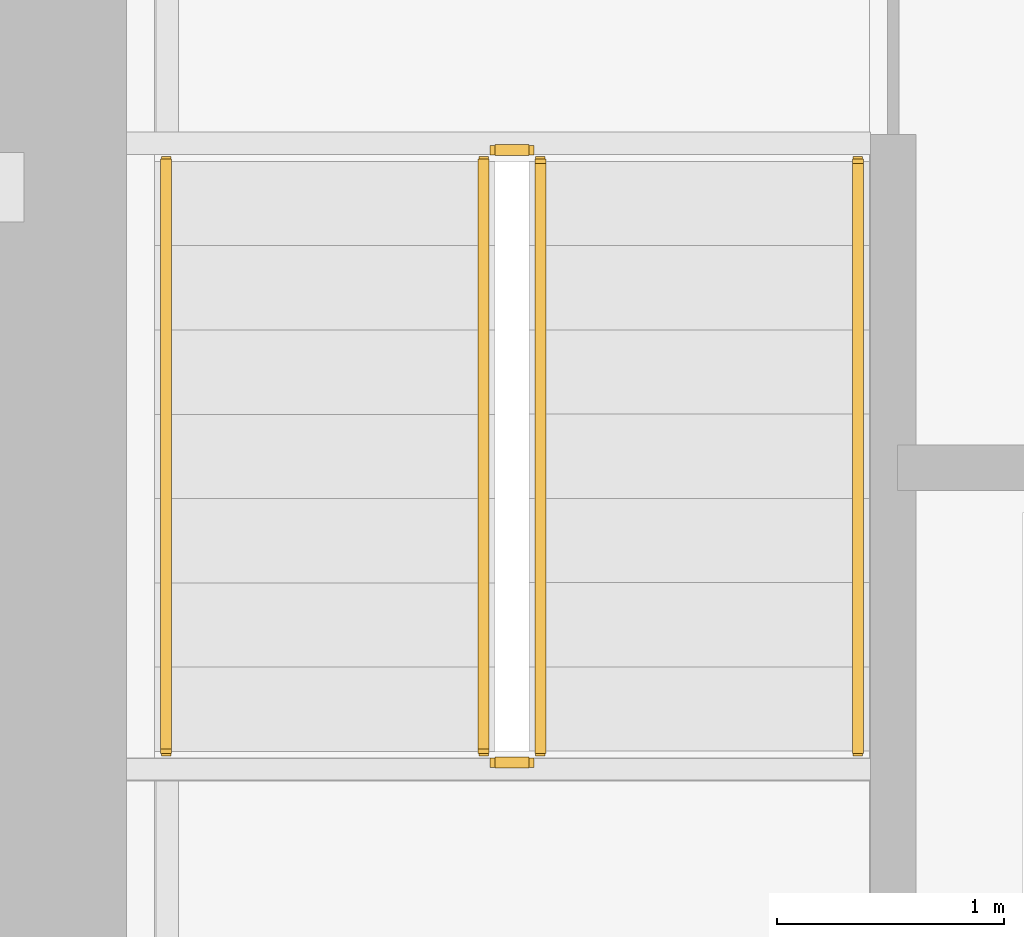
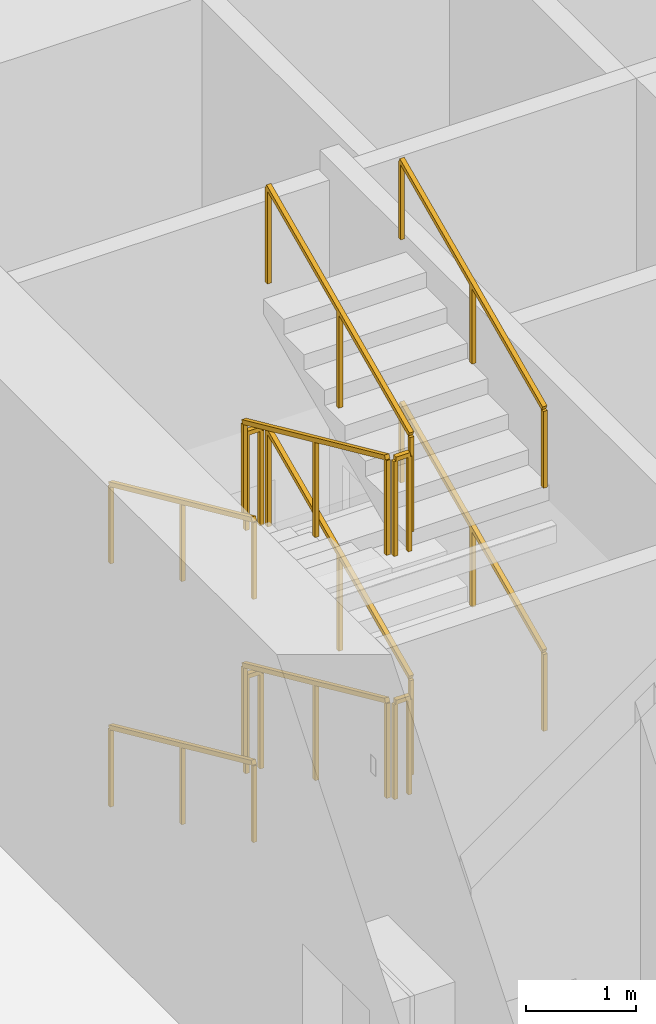
# One storey, part 17 of 19: 12 railings.
"""IFC4 building model written with IfcOpenShell, lengths in metres."""

from ifc_helpers import new_model, si_unit, direction, frame, origin, origin_2d, place, context, subcontext, project, spatial, rectangle, extrude, material, type_object, element, save


model = new_model("IFC4")

# Units and contexts
model_context = context("Model", 3, precision=1e-05, world=origin(), true_north=direction((0.0, 1.0)))
body_context = subcontext(model_context, "Body", "Model", "MODEL_VIEW")
ifc_project = project(units=[si_unit("LENGTHUNIT", "METRE"), si_unit("AREAUNIT", "SQUARE_METRE"), si_unit("VOLUMEUNIT", "CUBIC_METRE"), si_unit("PLANEANGLEUNIT", "RADIAN"), si_unit("MASSUNIT", "GRAM", prefix="KILO")], contexts=[model_context])

# Site, building, storey
site_placement = place(None, origin())
site = spatial("IfcSite", under=ifc_project, at=site_placement, CompositionType="ELEMENT")
building_placement = place(site_placement, origin())
building = spatial("IfcBuilding", under=site, at=building_placement, Name="Cinnabar Lancet Tower", CompositionType="ELEMENT")
storey_placement = place(building_placement, frame((0.0, 0.0, 74.60009765625)))
storey = spatial("IfcBuildingStorey", under=building, at=storey_placement, Name="L19", CompositionType="ELEMENT", Elevation=74.60009765625)

# Railings
ifc_material_1 = material(Name="Painted galvanized steel balustrade", Category="steel")
railing_type_1 = type_object("IfcRailingType", Name="GUARD-STAIR", PredefinedType="GUARDRAIL", material=ifc_material_1)
railing_1_placement = place(storey_placement, frame((24.97509765625, 28.39990234375, 0.168701171875)))
element("IfcRailing", 1, at=railing_1_placement, inside=storey, type_object=railing_type_1, Name="L19 ST-1 stair guard 1", PredefinedType="GUARDRAIL", context=body_context, shape_type="SweptSolid", body=[
    extrude(rectangle(XDim=0.048095703125, YDim=0.048095703125, at=origin_2d()), frame((0.0, 0.0, 1.076171875), z_axis=(0.0, -0.910430886142, 0.413661215923), x_axis=(1.0, 0.0, 0.0)), (0.0, 0.0, 1.0), 2.85546875),
    extrude(rectangle(XDim=0.0419921875, YDim=0.0419921875, at=origin_2d()), origin(), (0.0, 0.0, 1.0), 1.052001953125),
    extrude(rectangle(XDim=0.0419921875, YDim=0.0419921875, at=origin_2d()), frame((0.0, -1.2998046875, 0.590576171875)), (0.0, 0.0, 1.0), 1.052001953125),
    extrude(rectangle(XDim=0.0419921875, YDim=0.0419921875, at=origin_2d()), frame((0.0, -2.599609375, 1.18115234375)), (0.0, 0.0, 1.0), 1.052001953125),
])
railing_2_placement = place(storey_placement, frame((25.02490234375, 25.750244140625, 1.349853515625)))
element("IfcRailing", 2, at=railing_2_placement, inside=storey, type_object=railing_type_1, Name="L19 ST-1 stair guard 2", PredefinedType="GUARDRAIL", context=body_context, shape_type="SweptSolid", body=[
    extrude(rectangle(XDim=0.048095703125, YDim=0.048095703125, at=origin_2d()), frame((0.0, 0.0, 1.076171875), z_axis=(1.0, 0.0, 0.0), x_axis=(0.0, 1.0, 0.0)), (0.0, 0.0, 1.0), 0.150146484375),
    extrude(rectangle(XDim=0.0419921875, YDim=0.0419921875, at=origin_2d()), origin(), (0.0, 0.0, 1.0), 1.052001953125),
    extrude(rectangle(XDim=0.0419921875, YDim=0.0419921875, at=origin_2d()), frame((0.150146484375, 0.0, 0.0)), (0.0, 0.0, 1.0), 1.052001953125),
])
railing_3_placement = place(storey_placement, frame((25.22509765625, 25.80029296875, 1.5185546875)))
element("IfcRailing", 3, at=railing_3_placement, inside=storey, type_object=railing_type_1, Name="L19 ST-1 stair guard 3", PredefinedType="GUARDRAIL", context=body_context, shape_type="SweptSolid", body=[
    extrude(rectangle(XDim=0.048095703125, YDim=0.048095703125, at=origin_2d()), frame((0.0, 0.0, 1.076171875), z_axis=(0.0, 0.910398683421, 0.413732083872), x_axis=(-1.0, 0.0, 0.0)), (0.0, 0.0, 1.0), 2.85546875),
    extrude(rectangle(XDim=0.0419921875, YDim=0.0419921875, at=origin_2d()), origin(), (0.0, 0.0, 1.0), 1.052001953125),
    extrude(rectangle(XDim=0.0419921875, YDim=0.0419921875, at=origin_2d()), frame((0.0, 1.2998046875, 0.5908203125)), (0.0, 0.0, 1.0), 1.052001953125),
    extrude(rectangle(XDim=0.0419921875, YDim=0.0419921875, at=origin_2d()), frame((0.0, 2.599609375, 1.181396484375)), (0.0, 0.0, 1.0), 1.052001953125),
])
railing_4_placement = place(storey_placement, frame((25.02490234375, 28.449951171875, 2.699951171875)))
element("IfcRailing", 4, at=railing_4_placement, inside=storey, type_object=railing_type_1, Name="L19 ST-1 stair guard 4", PredefinedType="GUARDRAIL", context=body_context, shape_type="SweptSolid", body=[
    extrude(rectangle(XDim=0.048095703125, YDim=0.048095703125, at=origin_2d()), frame((0.0, 0.0, 1.076171875), z_axis=(1.0, 0.0, 0.0), x_axis=(0.0, 1.0, 0.0)), (0.0, 0.0, 1.0), 0.150146484375),
    extrude(rectangle(XDim=0.0419921875, YDim=0.0419921875, at=origin_2d()), origin(), (0.0, 0.0, 1.0), 1.052001953125),
    extrude(rectangle(XDim=0.0419921875, YDim=0.0419921875, at=origin_2d()), frame((0.150146484375, 0.0, 0.0)), (0.0, 0.0, 1.0), 1.052001953125),
])
railing_5_placement = place(storey_placement, frame((24.97509765625, 28.39990234375, 2.86865234375)))
element("IfcRailing", 5, at=railing_5_placement, inside=storey, type_object=railing_type_1, Name="L19 ST-1 stair guard 5", PredefinedType="GUARDRAIL", context=body_context, shape_type="SweptSolid", body=[
    extrude(rectangle(XDim=0.048095703125, YDim=0.048095703125, at=origin_2d()), frame((0.0, 0.0, 1.076171875), z_axis=(0.0, -0.910430886142, 0.413661215923), x_axis=(1.0, 0.0, 0.0)), (0.0, 0.0, 1.0), 2.85546875),
    extrude(rectangle(XDim=0.0419921875, YDim=0.0419921875, at=origin_2d()), origin(), (0.0, 0.0, 1.0), 1.052001953125),
    extrude(rectangle(XDim=0.0419921875, YDim=0.0419921875, at=origin_2d()), frame((0.0, -1.2998046875, 0.590576171875)), (0.0, 0.0, 1.0), 1.052001953125),
    extrude(rectangle(XDim=0.0419921875, YDim=0.0419921875, at=origin_2d()), frame((0.0, -2.599609375, 1.18115234375)), (0.0, 0.0, 1.0), 1.052001953125),
])
railing_6_placement = place(storey_placement, frame((25.02490234375, 25.750244140625, 4.0498046875)))
element("IfcRailing", 6, at=railing_6_placement, inside=storey, type_object=railing_type_1, Name="L19 ST-1 stair guard 6", PredefinedType="GUARDRAIL", context=body_context, shape_type="SweptSolid", body=[
    extrude(rectangle(XDim=0.048095703125, YDim=0.048095703125, at=origin_2d()), frame((0.0, 0.0, 1.076171875), z_axis=(1.0, 0.0, 0.0), x_axis=(0.0, 1.0, 0.0)), (0.0, 0.0, 1.0), 0.150146484375),
    extrude(rectangle(XDim=0.0419921875, YDim=0.0419921875, at=origin_2d()), origin(), (0.0, 0.0, 1.0), 1.052001953125),
    extrude(rectangle(XDim=0.0419921875, YDim=0.0419921875, at=origin_2d()), frame((0.150146484375, 0.0, 0.0)), (0.0, 0.0, 1.0), 1.052001953125),
])
railing_7_placement = place(storey_placement, frame((25.22509765625, 25.80029296875, 4.21875)))
element("IfcRailing", 7, at=railing_7_placement, inside=storey, type_object=railing_type_1, Name="L19 ST-1 stair guard 7", PredefinedType="GUARDRAIL", context=body_context, shape_type="SweptSolid", body=[
    extrude(rectangle(XDim=0.048095703125, YDim=0.048095703125, at=origin_2d()), frame((0.0, 0.0, 1.076171875), z_axis=(0.0, 0.910430886142, 0.413661215923), x_axis=(-1.0, 0.0, 0.0)), (0.0, 0.0, 1.0), 2.85546875),
    extrude(rectangle(XDim=0.0419921875, YDim=0.0419921875, at=origin_2d()), origin(), (0.0, 0.0, 1.0), 1.052001953125),
    extrude(rectangle(XDim=0.0419921875, YDim=0.0419921875, at=origin_2d()), frame((0.0, 1.2998046875, 0.590576171875)), (0.0, 0.0, 1.0), 1.052001953125),
    extrude(rectangle(XDim=0.0419921875, YDim=0.0419921875, at=origin_2d()), frame((0.0, 2.599609375, 1.18115234375)), (0.0, 0.0, 1.0), 1.052001953125),
])
railing_8_placement = place(storey_placement, frame((25.02490234375, 28.449951171875, 0.0)))
element("IfcRailing", 8, at=railing_8_placement, inside=storey, type_object=railing_type_1, Name="L19 ST-1 stair guard 8", PredefinedType="GUARDRAIL", context=body_context, shape_type="SweptSolid", body=[
    extrude(rectangle(XDim=0.048095703125, YDim=0.048095703125, at=origin_2d()), frame((0.0, 0.0, 1.076171875), z_axis=(1.0, 0.0, 0.0), x_axis=(0.0, 1.0, 0.0)), (0.0, 0.0, 1.0), 0.150146484375),
    extrude(rectangle(XDim=0.0419921875, YDim=0.0419921875, at=origin_2d()), origin(), (0.0, 0.0, 1.0), 1.052001953125),
    extrude(rectangle(XDim=0.0419921875, YDim=0.0419921875, at=origin_2d()), frame((0.150146484375, 0.0, 0.0)), (0.0, 0.0, 1.0), 1.052001953125),
])
ifc_material_2 = material(Name="Brushed stainless steel handrail", Category="steel")
railing_type_2 = type_object("IfcRailingType", Name="HANDRAIL-STAIR", PredefinedType="HANDRAIL", material=ifc_material_2)
railing_9_placement = place(storey_placement, frame((23.574951171875, 28.39990234375, 0.168701171875)))
element("IfcRailing", 9, at=railing_9_placement, inside=storey, type_object=railing_type_2, Name="L19 ST-1 stair handrail 1", PredefinedType="HANDRAIL", context=body_context, shape_type="SweptSolid", body=[
    extrude(rectangle(XDim=0.048095703125, YDim=0.048095703125, at=origin_2d()), frame((0.0, 0.0, 0.8759765625), z_axis=(0.0, -0.910430886142, 0.413661215923), x_axis=(1.0, 0.0, 0.0)), (0.0, 0.0, 1.0), 2.85546875),
    extrude(rectangle(XDim=0.0419921875, YDim=0.0419921875, at=origin_2d()), origin(), (0.0, 0.0, 1.0), 0.851806640625),
    extrude(rectangle(XDim=0.0419921875, YDim=0.0419921875, at=origin_2d()), frame((0.0, -1.2998046875, 0.590576171875)), (0.0, 0.0, 1.0), 0.851806640625),
    extrude(rectangle(XDim=0.0419921875, YDim=0.0419921875, at=origin_2d()), frame((0.0, -2.599609375, 1.18115234375)), (0.0, 0.0, 1.0), 0.851806640625),
])
railing_10_placement = place(storey_placement, frame((26.625, 25.80029296875, 1.5185546875)))
element("IfcRailing", 10, at=railing_10_placement, inside=storey, type_object=railing_type_2, Name="L19 ST-1 stair handrail 2", PredefinedType="HANDRAIL", context=body_context, shape_type="SweptSolid", body=[
    extrude(rectangle(XDim=0.048095703125, YDim=0.048095703125, at=origin_2d()), frame((0.0, 0.0, 0.8759765625), z_axis=(0.0, 0.910398683421, 0.413732083872), x_axis=(-1.0, 0.0, 0.0)), (0.0, 0.0, 1.0), 2.85546875),
    extrude(rectangle(XDim=0.0419921875, YDim=0.0419921875, at=origin_2d()), origin(), (0.0, 0.0, 1.0), 0.851806640625),
    extrude(rectangle(XDim=0.0419921875, YDim=0.0419921875, at=origin_2d()), frame((0.0, 1.2998046875, 0.5908203125)), (0.0, 0.0, 1.0), 0.851806640625),
    extrude(rectangle(XDim=0.0419921875, YDim=0.0419921875, at=origin_2d()), frame((0.0, 2.599609375, 1.181396484375)), (0.0, 0.0, 1.0), 0.851806640625),
])
railing_11_placement = place(storey_placement, frame((23.574951171875, 28.39990234375, 2.86865234375)))
element("IfcRailing", 11, at=railing_11_placement, inside=storey, type_object=railing_type_2, Name="L19 ST-1 stair handrail 3", PredefinedType="HANDRAIL", context=body_context, shape_type="SweptSolid", body=[
    extrude(rectangle(XDim=0.048095703125, YDim=0.048095703125, at=origin_2d()), frame((0.0, 0.0, 0.8759765625), z_axis=(0.0, -0.910430886142, 0.413661215923), x_axis=(1.0, 0.0, 0.0)), (0.0, 0.0, 1.0), 2.85546875),
    extrude(rectangle(XDim=0.0419921875, YDim=0.0419921875, at=origin_2d()), origin(), (0.0, 0.0, 1.0), 0.851806640625),
    extrude(rectangle(XDim=0.0419921875, YDim=0.0419921875, at=origin_2d()), frame((0.0, -1.2998046875, 0.590576171875)), (0.0, 0.0, 1.0), 0.851806640625),
    extrude(rectangle(XDim=0.0419921875, YDim=0.0419921875, at=origin_2d()), frame((0.0, -2.599609375, 1.18115234375)), (0.0, 0.0, 1.0), 0.851806640625),
])
railing_12_placement = place(storey_placement, frame((26.625, 25.80029296875, 4.21875)))
element("IfcRailing", 12, at=railing_12_placement, inside=storey, type_object=railing_type_2, Name="L19 ST-1 stair handrail 4", PredefinedType="HANDRAIL", context=body_context, shape_type="SweptSolid", body=[
    extrude(rectangle(XDim=0.048095703125, YDim=0.048095703125, at=origin_2d()), frame((0.0, 0.0, 0.8759765625), z_axis=(0.0, 0.910430886142, 0.413661215923), x_axis=(-1.0, 0.0, 0.0)), (0.0, 0.0, 1.0), 2.85546875),
    extrude(rectangle(XDim=0.0419921875, YDim=0.0419921875, at=origin_2d()), origin(), (0.0, 0.0, 1.0), 0.851806640625),
    extrude(rectangle(XDim=0.0419921875, YDim=0.0419921875, at=origin_2d()), frame((0.0, 1.2998046875, 0.590576171875)), (0.0, 0.0, 1.0), 0.851806640625),
    extrude(rectangle(XDim=0.0419921875, YDim=0.0419921875, at=origin_2d()), frame((0.0, 2.599609375, 1.18115234375)), (0.0, 0.0, 1.0), 0.851806640625),
])

save(model, "model.ifc")
